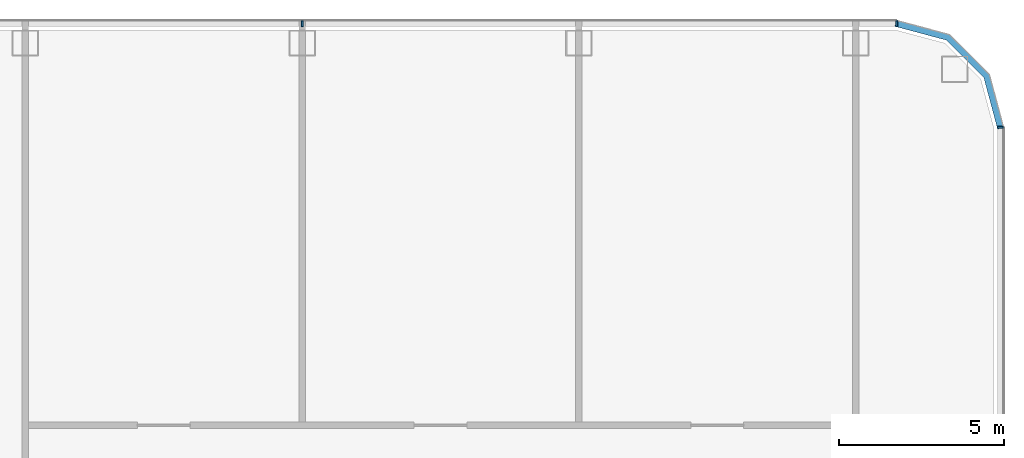
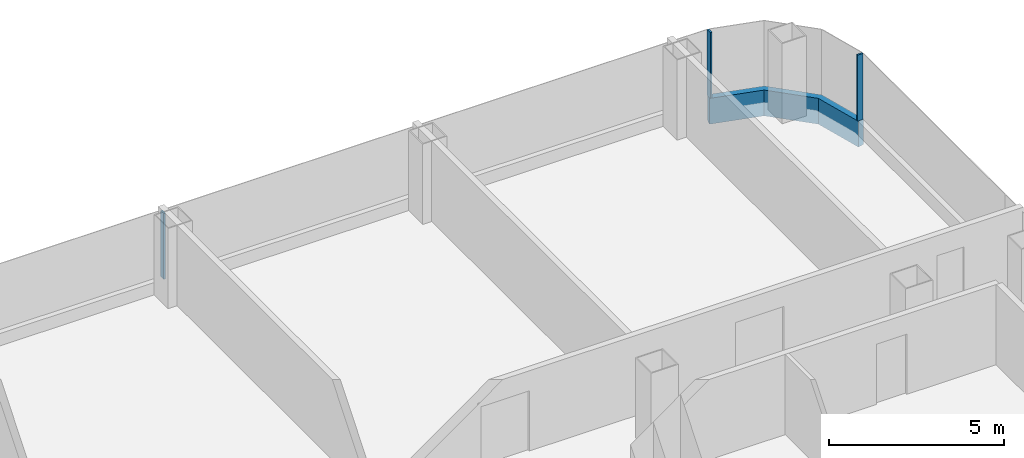
# One storey, part 13 of 29: 4 members, 3 elements without a shape of their own.
"""IFC4 building model written with IfcOpenShell, lengths in metres."""

from ifc_helpers import new_model, si_unit, direction, frame, origin, origin_2d, place, context, subcontext, project, spatial, polyline, rectangle, outline, extrude, material, layer, layer_set, material_profile, profile_set, type_object, element, aggregate, save


model = new_model("IFC4")

# Units and contexts
model_context = context("Model", 3, precision=1e-05, world=origin(), true_north=direction((0.0, 1.0)))
body_context = subcontext(model_context, "Body", "Model", "MODEL_VIEW")
ifc_project = project(units=[si_unit("LENGTHUNIT", "METRE"), si_unit("AREAUNIT", "SQUARE_METRE"), si_unit("VOLUMEUNIT", "CUBIC_METRE"), si_unit("PLANEANGLEUNIT", "RADIAN"), si_unit("MASSUNIT", "GRAM", prefix="KILO")], contexts=[model_context])

# Site, building, storey
site_placement = place(None, origin())
site = spatial("IfcSite", under=ifc_project, at=site_placement, CompositionType="ELEMENT")
building_placement = place(site_placement, origin())
building = spatial("IfcBuilding", under=site, at=building_placement, Name="Hakoniwa Tower and Hamabe Station Hall", CompositionType="ELEMENT")
storey_placement = place(building_placement, frame((0.0, 0.0, 85.0)))
storey = spatial("IfcBuildingStorey", under=building, at=storey_placement, Name="L23", CompositionType="ELEMENT", Elevation=85.0)

# Curtain wall, member
ifc_material_1 = material(Name="Dark low-e laminated glass", Category="glass")
ifc_layer = layer(ifc_material_1, 0.199951171875)
ifc_layer_set = layer_set([ifc_layer], Name="CW-1 UNITISED GUEST")
curtain_wall_type = type_object("IfcCurtainWallType", Name="CW-1 UNITISED GUEST", PredefinedType="NOTDEFINED", material=ifc_layer_set)
curtain_wall_1_placement = place(storey_placement, origin())
curtain_wall_1 = element("IfcCurtainWall", 1, at=curtain_wall_1_placement, inside=storey, type_object=curtain_wall_type, Name="CW-1 curtain wall", PredefinedType="NOTDEFINED")
ifc_material_2 = material(Name="Aluminium 6063-T5 black anodised", Category="aluminium")
ifc_material_profile_1 = material_profile(ifc_material_2, rectangle(XDim=0.199951171875, YDim=0.89990234375, at=origin_2d()), Name="CW SLAB-EDGE BAND 900X200")
ifc_profile_set_1 = profile_set([ifc_material_profile_1], Name="Aluminium 6063-T5 black anodised")
member_type_1 = type_object("IfcMemberType", Name="CW SLAB-EDGE BAND 900X200", PredefinedType="USERDEFINED", material=ifc_profile_set_1)
member_1_placement = place(storey_placement, frame((0.0, 0.0, -0.550048828125)))
member_1 = element("IfcMember", 2, at=member_1_placement, type_object=member_type_1, Name="CW-1 transom", ObjectType="TRANSOM", PredefinedType="USERDEFINED", context=body_context, shape_type="SweptSolid", body=[
    extrude(outline(polyline([(46.5, 20.28955078125), (46.067138671875, 21.9052734375), (44.855224609375, 23.116943359375), (43.239501953125, 23.550048828125), (43.187744140625, 23.35693359375), (44.751708984375, 22.937744140625), (45.8876953125, 21.8017578125), (46.306884765625, 20.23779296875), (46.5, 20.28955078125)])), origin(), (0.0, 0.0, 1.0), 0.900146484375),
])
aggregate(curtain_wall_1, [member_1])

curtain_wall_2_placement = place(storey_placement, origin())
curtain_wall_2 = element("IfcCurtainWall", 3, at=curtain_wall_2_placement, inside=storey, type_object=curtain_wall_type, Name="CW-1 curtain wall", PredefinedType="NOTDEFINED")
ifc_material_3 = material(Name="Aluminium 6063-T5 black anodised", Category="aluminium")
ifc_material_profile_2 = material_profile(ifc_material_3, rectangle(XDim=0.06005859375, YDim=0.179931640625, at=origin_2d()), Name="CW-1 MULLION 60X180")
ifc_profile_set_2 = profile_set([ifc_material_profile_2], Name="Aluminium 6063-T5 black anodised")
member_type_2 = type_object("IfcMemberType", Name="CW-1 MULLION 60X180", PredefinedType="MULLION", material=ifc_profile_set_2)
member_2_placement = place(storey_placement, frame((46.382080078125, 20.28955078125, 0.35009765625), z_axis=(0.0, 0.0, 1.0), x_axis=(0.0, 1.0, 0.0)))
member_2 = element("IfcMember", 4, at=member_2_placement, type_object=member_type_2, Name="CW-1 mullion", PredefinedType="MULLION", context=body_context, shape_type="SweptSolid", body=[
    extrude(rectangle(XDim=0.06005859375, YDim=0.179931640625, at=origin_2d()), origin(), (0.0, 0.0, 1.0), 2.2998046875),
])
aggregate(curtain_wall_2, [member_2])

# Curtain wall, members
curtain_wall_3_placement = place(storey_placement, origin())
curtain_wall_3 = element("IfcCurtainWall", 5, at=curtain_wall_3_placement, inside=storey, type_object=curtain_wall_type, Name="CW-1 curtain wall", PredefinedType="NOTDEFINED")
member_3_placement = place(storey_placement, frame((43.239501953125, 23.431884765625, 0.35009765625), z_axis=(0.0, 0.0, 1.0), x_axis=(-1.0, 0.0, 0.0)))
member_3 = element("IfcMember", 6, at=member_3_placement, type_object=member_type_2, Name="CW-1 mullion", PredefinedType="MULLION", context=body_context, shape_type="SweptSolid", body=[
    extrude(rectangle(XDim=0.06005859375, YDim=0.179931640625, at=origin_2d()), origin(), (0.0, 0.0, 1.0), 2.2998046875),
])
member_4_placement = place(storey_placement, frame((25.199951171875, 23.431884765625, 0.35009765625), z_axis=(0.0, 0.0, 1.0), x_axis=(-1.0, 0.0, 0.0)))
member_4 = element("IfcMember", 7, at=member_4_placement, type_object=member_type_2, Name="CW-1 mullion", PredefinedType="MULLION", context=body_context, shape_type="SweptSolid", body=[
    extrude(rectangle(XDim=0.06005859375, YDim=0.179931640625, at=origin_2d()), origin(), (0.0, 0.0, 1.0), 2.2998046875),
])
aggregate(curtain_wall_3, [member_3, member_4])

save(model, "model.ifc")
